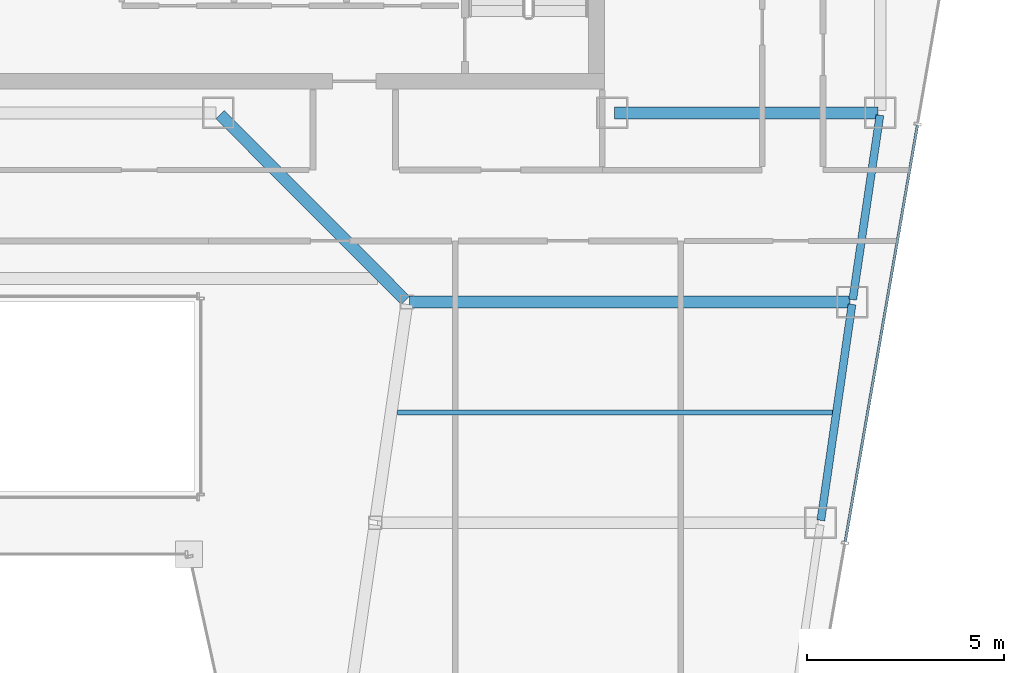
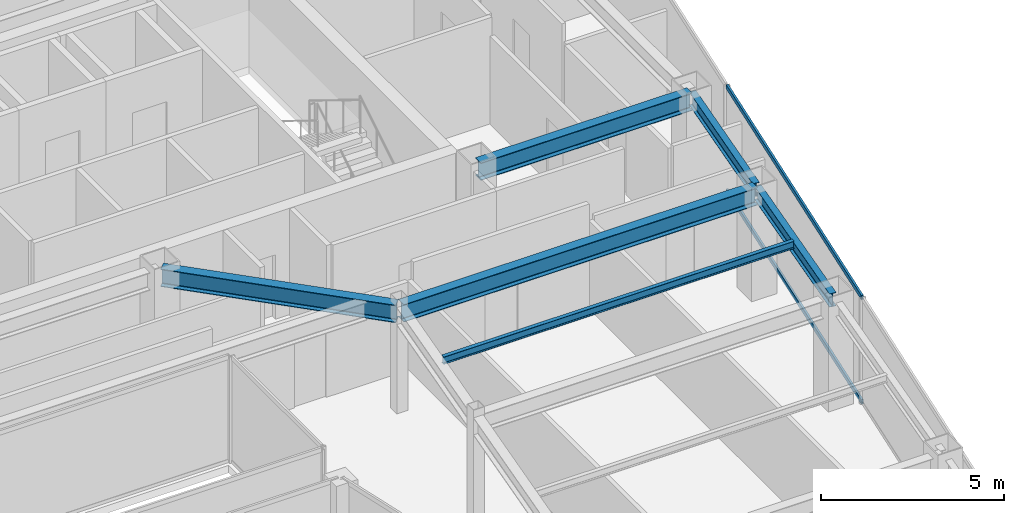
# One storey, part 17 of 33: 6 beams, 2 members, 1 element without a shape of its own.
"""IFC4 building model written with IfcOpenShell, lengths in metres."""

from ifc_helpers import new_model, si_unit, direction, frame, origin, origin_2d, place, context, subcontext, project, spatial, hollow_rectangle, i_section, extrude, material, material_profile, profile_set, type_object, element, aggregate, save


model = new_model("IFC4")

# Units and contexts
model_context = context("Model", 3, precision=1e-05, world=origin(), true_north=direction((0.0, 1.0)))
body_context = subcontext(model_context, "Body", "Model", "MODEL_VIEW")
ifc_project = project(units=[si_unit("LENGTHUNIT", "METRE"), si_unit("AREAUNIT", "SQUARE_METRE"), si_unit("VOLUMEUNIT", "CUBIC_METRE"), si_unit("PLANEANGLEUNIT", "RADIAN"), si_unit("MASSUNIT", "GRAM", prefix="KILO")], contexts=[model_context])

# Site, building, storey
site_placement = place(None, origin())
site = spatial("IfcSite", under=ifc_project, at=site_placement, CompositionType="ELEMENT")
building_placement = place(site_placement, origin())
building = spatial("IfcBuilding", under=site, at=building_placement, Name="Saevonmaru Cultural Tower", CompositionType="ELEMENT")
storey_placement = place(building_placement, frame((0.0, 0.0, 238.199951171875)))
storey = spatial("IfcBuildingStorey", under=building, at=storey_placement, Name="L55", CompositionType="ELEMENT", Elevation=238.199951171875)

# Beams
ifc_material_1 = material(Name="Steel SM355", Category="steel")
ifc_material_profile_1 = material_profile(ifc_material_1, i_section(OverallWidth=0.300048828125, OverallDepth=0.587890625, WebThickness=0.011962890625, FlangeThickness=0.02001953125, FilletRadius=0.02392578125, at=origin_2d()), Name="H-588x300x12x20")
ifc_profile_set_1 = profile_set([ifc_material_profile_1], Name="Steel SM355")
beam_type_1 = type_object("IfcBeamType", Name="BM-G-H588", PredefinedType="BEAM", material=ifc_profile_set_1)
beam_1_placement = place(storey_placement, frame((46.4599609375, 42.39990234375, 3.256103515625), z_axis=(1.0, 0.0, 0.0), x_axis=(0.0, 1.0, 0.0)))
element("IfcBeam", 1, at=beam_1_placement, inside=storey, type_object=beam_type_1, Name="L55 Core South Girder 5", PredefinedType="BEAM", context=body_context, shape_type="SweptSolid", body=[
    extrude(i_section(OverallWidth=0.300048828125, OverallDepth=0.587890625, WebThickness=0.011962890625, FlangeThickness=0.02001953125, FilletRadius=0.02392578125, at=origin_2d()), origin(), (0.0, 0.0, 1.0), 6.679931640625),
])
beam_2_placement = place(storey_placement, frame((41.149658203125, 37.642578125, 3.256103515625), z_axis=(-0.706538566564, 0.707674539572, 0.0), x_axis=(-0.707674539572, -0.706538566564, 0.0)))
element("IfcBeam", 2, at=beam_2_placement, inside=storey, type_object=beam_type_1, Name="L55 East Atrium Girder 4", PredefinedType="BEAM", context=body_context, shape_type="SweptSolid", body=[
    extrude(i_section(OverallWidth=0.300048828125, OverallDepth=0.587890625, WebThickness=0.011962890625, FlangeThickness=0.02001953125, FilletRadius=0.02392578125, at=origin_2d()), origin(), (0.0, 0.0, 1.0), 6.662353515625),
])
beam_3_placement = place(storey_placement, frame((41.251953125, 37.60009765625, 3.256103515625), z_axis=(1.0, 0.0, 0.0), x_axis=(0.0, 1.0, 0.0)))
element("IfcBeam", 3, at=beam_3_placement, inside=storey, type_object=beam_type_1, Name="L55 East Wing Transverse Girder 4", PredefinedType="BEAM", context=body_context, shape_type="SweptSolid", body=[
    extrude(i_section(OverallWidth=0.300048828125, OverallDepth=0.587890625, WebThickness=0.011962890625, FlangeThickness=0.02001953125, FilletRadius=0.02392578125, at=origin_2d()), origin(), (0.0, 0.0, 1.0), 11.179931640625),
])
ifc_material_profile_2 = material_profile(ifc_material_1, i_section(OverallWidth=0.125, OverallDepth=0.25, WebThickness=0.006103515625, FlangeThickness=0.009033203125, FilletRadius=0.008056640625, at=origin_2d()), Name="H-250x125x6x9")
ifc_profile_set_2 = profile_set([ifc_material_profile_2], Name="Steel SM355")
beam_type_2 = type_object("IfcBeamType", Name="BM-J-H250", PredefinedType="JOIST", material=ifc_profile_set_2)
beam_4_placement = place(storey_placement, frame((40.945556640625, 34.800048828125, 3.425048828125), z_axis=(1.0, 0.0, 0.0), x_axis=(0.0, 1.0, 0.0)))
element("IfcBeam", 4, at=beam_4_placement, inside=storey, type_object=beam_type_2, Name="L55 East Wing Floor Joist 3", PredefinedType="JOIST", context=body_context, shape_type="SweptSolid", body=[
    extrude(i_section(OverallWidth=0.125, OverallDepth=0.25, WebThickness=0.006103515625, FlangeThickness=0.009033203125, FilletRadius=0.008056640625, at=origin_2d()), origin(), (0.0, 0.0, 1.0), 11.08203125),
])
ifc_material_profile_3 = material_profile(ifc_material_1, i_section(OverallWidth=0.199951171875, OverallDepth=0.449951171875, WebThickness=0.009033203125, FlangeThickness=0.013916015625, FilletRadius=0.01806640625, at=origin_2d()), Name="H-450x200x9x14")
ifc_profile_set_3 = profile_set([ifc_material_profile_3], Name="Steel SM355")
beam_type_3 = type_object("IfcBeamType", Name="BM-SP-H450", PredefinedType="SPANDREL", material=ifc_profile_set_3)
beam_5_placement = place(storey_placement, frame((51.691650390625, 32.059326171875, 3.324951171875), z_axis=(0.142964121327, 0.989727871697, 0.0), x_axis=(-0.989727871697, 0.142964121327, 0.0)))
element("IfcBeam", 5, at=beam_5_placement, inside=storey, type_object=beam_type_3, Name="L55 East Splayed Spandrel 3", PredefinedType="SPANDREL", context=body_context, shape_type="SweptSolid", body=[
    extrude(i_section(OverallWidth=0.199951171875, OverallDepth=0.449951171875, WebThickness=0.009033203125, FlangeThickness=0.013916015625, FilletRadius=0.01806640625, at=origin_2d()), origin(), (0.0, 0.0, 1.0), 5.5380859375),
])
beam_6_placement = place(storey_placement, frame((52.500732421875, 37.659423828125, 3.324951171875), z_axis=(0.145912860028, 0.989297446312, 0.0), x_axis=(-0.989297446312, 0.145912860028, 0.0)))
element("IfcBeam", 6, at=beam_6_placement, inside=storey, type_object=beam_type_3, Name="L55 East Splayed Spandrel 4", PredefinedType="SPANDREL", context=body_context, shape_type="SweptSolid", body=[
    extrude(i_section(OverallWidth=0.199951171875, OverallDepth=0.449951171875, WebThickness=0.009033203125, FlangeThickness=0.013916015625, FilletRadius=0.01806640625, at=origin_2d()), origin(), (0.0, 0.0, 1.0), 4.731689453125),
])

# Curtain wall, members
ifc_material_2 = material(Name="Satin Bronze Anodised Aluminium", Category="aluminium")
curtain_wall_type = type_object("IfcCurtainWallType", Name="CW-TYP-B", PredefinedType="NOTDEFINED", material=ifc_material_2)
curtain_wall_placement = place(storey_placement, origin())
curtain_wall = element("IfcCurtainWall", 7, at=curtain_wall_placement, inside=storey, type_object=curtain_wall_type, Name="L55 Unitised Curtain Wall E8", PredefinedType="NOTDEFINED")
ifc_material_profile_4 = material_profile(ifc_material_2, hollow_rectangle(XDim=0.06494140625, YDim=0.14990234375, WallThickness=0.00390625, at=origin_2d()), Name="ALU-TRAN-150x65x4")
ifc_profile_set_4 = profile_set([ifc_material_profile_4], Name="Satin Bronze Anodised Aluminium")
member_type = type_object("IfcMemberType", Name="TR-CW-150x65", PredefinedType="USERDEFINED", material=ifc_profile_set_4)
member_1_placement = place(storey_placement, frame((52.31103515625, 31.518310546875, 0.032470703125), z_axis=(0.170795272137, 0.985306538604, 0.0), x_axis=(-0.985306538604, 0.170795272137, 0.0)))
member_1 = element("IfcMember", 8, at=member_1_placement, type_object=member_type, Name="CW-TW-L55-E8 transom 2.1", ObjectType="TRANSOM", PredefinedType="USERDEFINED", context=body_context, shape_type="SweptSolid", body=[
    extrude(hollow_rectangle(XDim=0.06494140625, YDim=0.14990234375, WallThickness=0.00390625, at=origin_2d()), origin(), (0.0, 0.0, 1.0), 10.720703125),
])
member_2_placement = place(storey_placement, frame((52.31103515625, 31.518310546875, 3.517578125), z_axis=(0.170795272137, 0.985306538604, 0.0), x_axis=(-0.985306538604, 0.170795272137, 0.0)))
member_2 = element("IfcMember", 9, at=member_2_placement, type_object=member_type, Name="CW-TW-L55-E8 transom 2.2", ObjectType="TRANSOM", PredefinedType="USERDEFINED", context=body_context, shape_type="SweptSolid", body=[
    extrude(hollow_rectangle(XDim=0.06494140625, YDim=0.14990234375, WallThickness=0.00390625, at=origin_2d()), origin(), (0.0, 0.0, 1.0), 10.720703125),
])
aggregate(curtain_wall, [member_1, member_2])

save(model, "model.ifc")
